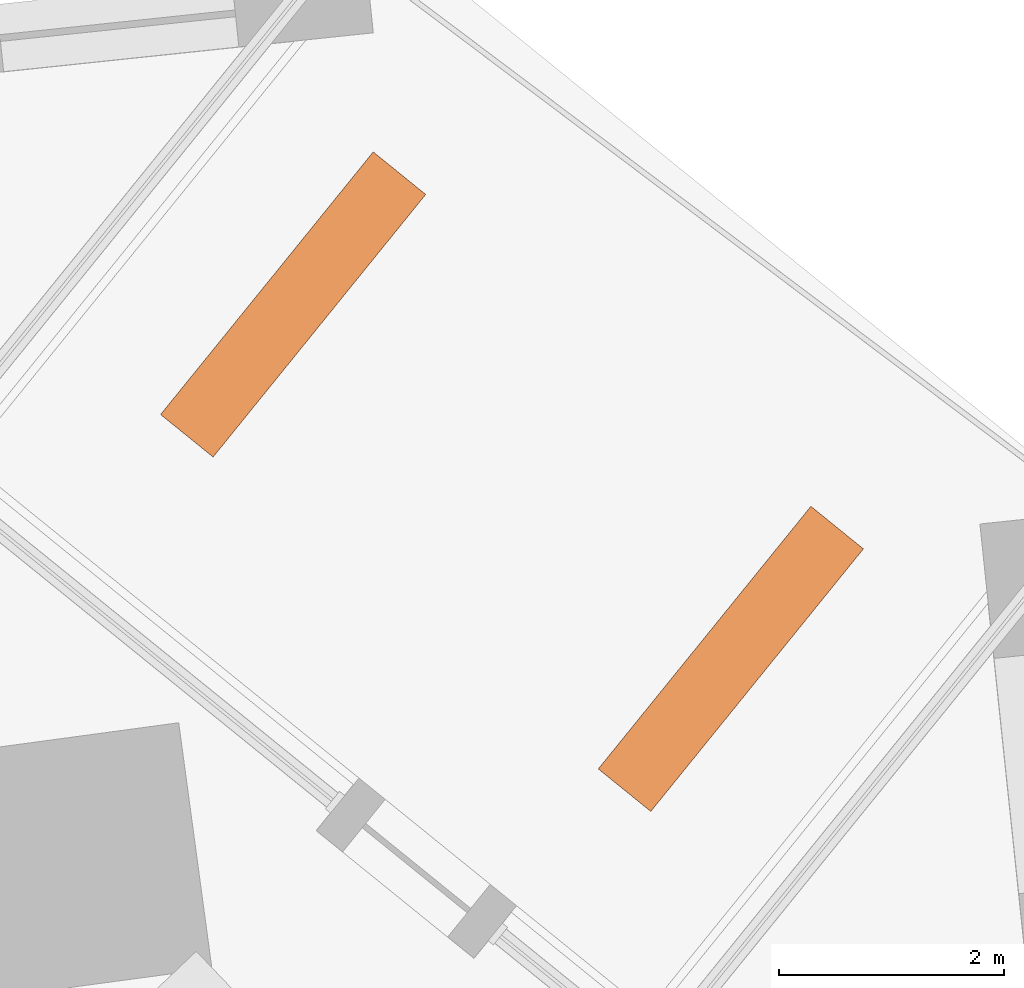
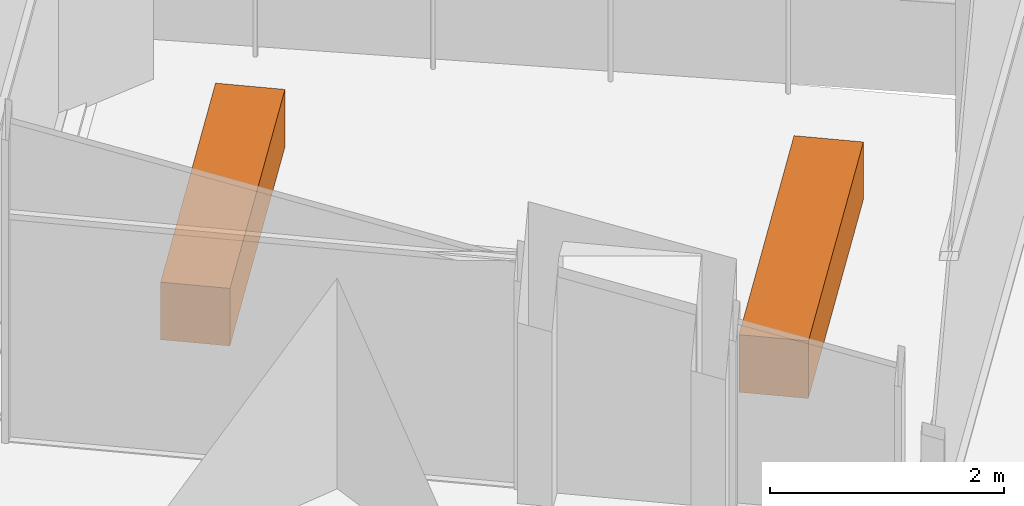
# One storey, part 10 of 10: 2 proxies.
"""IFC4 building model written with IfcOpenShell, lengths in metres."""

from ifc_helpers import new_model, si_unit, direction, frame, origin, origin_2d, place, context, subcontext, project, spatial, rectangle, extrude, element, save


model = new_model("IFC4")

# Units and contexts
model_context = context("Model", 3, precision=1e-05, world=origin(), true_north=direction((0.0, 1.0)))
body_context = subcontext(model_context, "Body", "Model", "MODEL_VIEW")
ifc_project = project(units=[si_unit("LENGTHUNIT", "METRE"), si_unit("AREAUNIT", "SQUARE_METRE"), si_unit("VOLUMEUNIT", "CUBIC_METRE"), si_unit("PLANEANGLEUNIT", "RADIAN"), si_unit("MASSUNIT", "GRAM", prefix="KILO")], contexts=[model_context])

# Site, building, storey
site_placement = place(None, origin())
site = spatial("IfcSite", under=ifc_project, at=site_placement, CompositionType="ELEMENT")
building_placement = place(site_placement, origin())
building = spatial("IfcBuilding", under=site, at=building_placement, Name="Dilmun Exchange Tower", CompositionType="ELEMENT")
storey_placement = place(building_placement, frame((0.0, 0.0, 41.699951171875)))
storey = spatial("IfcBuildingStorey", under=building, at=storey_placement, Name="L09", CompositionType="ELEMENT", Elevation=41.699951171875)

# Proxies
for number, where, z_axis, x_axis, name in (
    (1, (24.466796875, 26.241455078125, 0.0), (0.0, 0.0, 1.0), (0.62932039105, 0.777145961457, 0.0), "PLANTER Date palm L09.1"),
    (2, (20.5810546875, 29.387939453125, 0.0), (0.0, 0.0, 1.0), (0.62932039105, 0.777145961457, 0.0), "PLANTER Date palm L09.2"),
):
    element("IfcBuildingElementProxy", number, at=place(storey_placement, frame(where, z_axis=z_axis, x_axis=x_axis)), inside=storey, Name=name, ObjectType="PLANTER", PredefinedType="USERDEFINED", context=body_context, shape_type="SweptSolid", body=[
        extrude(rectangle(XDim=3.0, YDim=0.60009765625, at=origin_2d()), origin(), (0.0, 0.0, 1.0), 0.60009765625),
    ])

save(model, "model.ifc")
